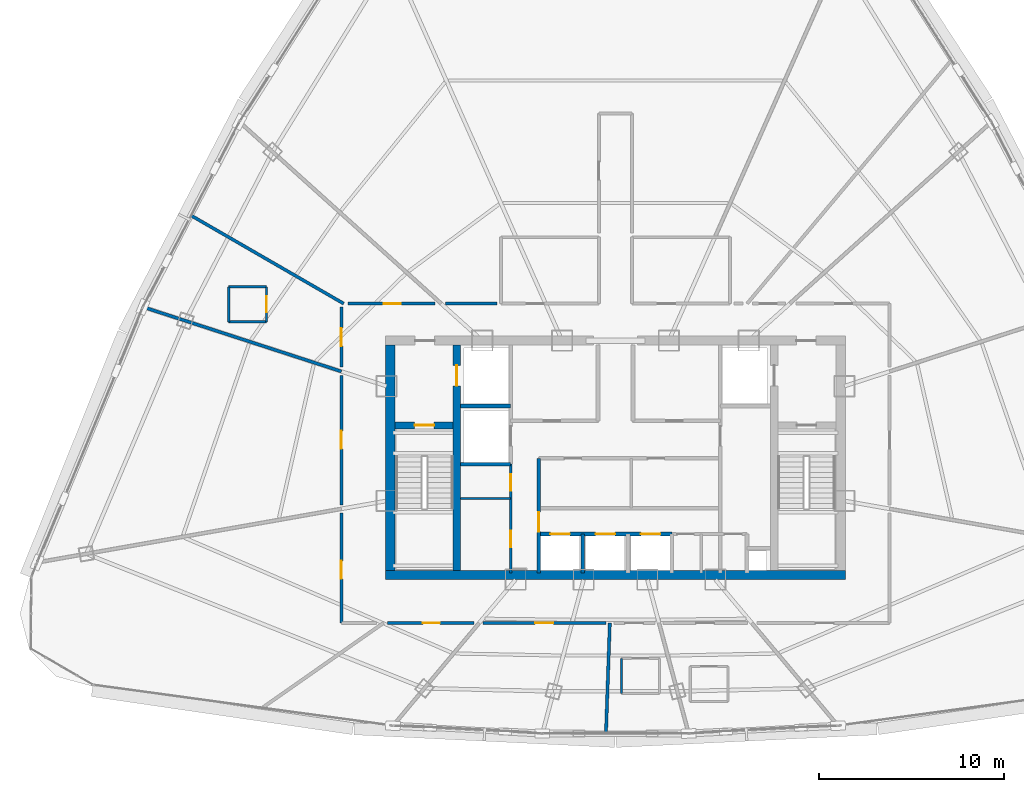
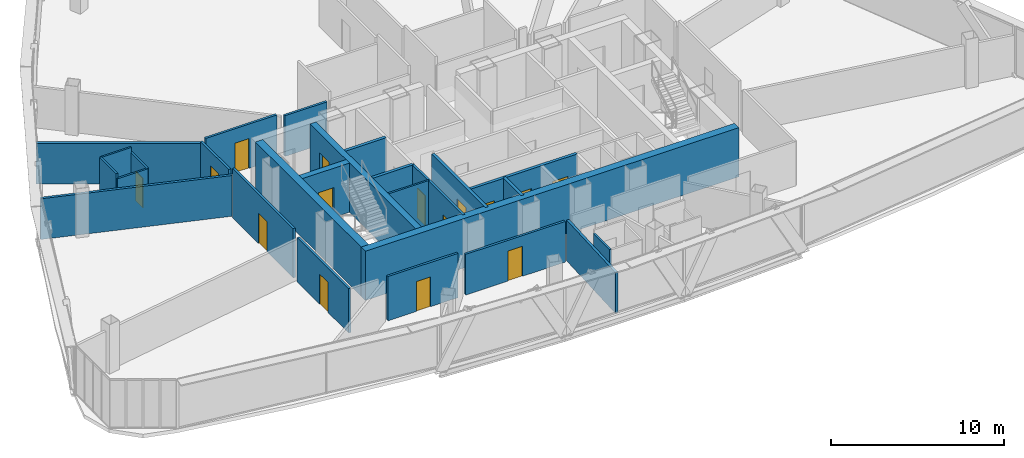
# One storey, part 34 of 40: 26 walls, 15 doors, 15 openings.
"""IFC4 building model written with IfcOpenShell, lengths in metres."""

from ifc_helpers import new_model, si_unit, direction, frame, frame_2d, origin, origin_with_axes, place, context, subcontext, project, spatial, rectangle, extrude, source, transform, mapped, material, layer, layer_set, type_object, element, fill, save


model = new_model("IFC4")

# Units and contexts
model_context = context("Model", 3, precision=1e-05, world=origin(), true_north=direction((0.0, 1.0)))
body_context = subcontext(model_context, "Body", "Model", "MODEL_VIEW")
ifc_project = project(units=[si_unit("LENGTHUNIT", "METRE"), si_unit("AREAUNIT", "SQUARE_METRE"), si_unit("VOLUMEUNIT", "CUBIC_METRE"), si_unit("PLANEANGLEUNIT", "RADIAN"), si_unit("MASSUNIT", "GRAM", prefix="KILO"), si_unit("THERMODYNAMICTEMPERATUREUNIT", "KELVIN"), si_unit("POWERUNIT", "WATT")], contexts=[model_context])

# Site, building, storey
site_placement = place(None, origin())
site = spatial("IfcSite", under=ifc_project, at=site_placement, CompositionType="ELEMENT")
building_placement = place(site_placement, origin())
building = spatial("IfcBuilding", under=site, at=building_placement, Name="Yunzhuo Pagoda Commons", CompositionType="ELEMENT")
storey_placement = place(building_placement, frame((0.0, 0.0, 288.75)))
storey = spatial("IfcBuildingStorey", under=building, at=storey_placement, Name="L72", CompositionType="ELEMENT", Elevation=288.75)

# Walls
ifc_material_1 = material(Name="Concrete C50", Category="concrete")
ifc_layer_1 = layer(ifc_material_1, 0.5)
ifc_layer_set_1 = layer_set([ifc_layer_1], Name="Concrete C50")
wall_type_1 = type_object("IfcWallType", Name="W-C03 Upper Core Shear Wall 500", PredefinedType="SHEAR", material=ifc_layer_set_1)
wall_1_placement = place(storey_placement, frame((35.550048828125, 27.5, 0.0), z_axis=(0.0, 0.0, 1.0), x_axis=(1.0, 0.0, 0.0)))
element("IfcWall", 1, at=wall_1_placement, inside=storey, type_object=wall_type_1, Name="L72 core shear wall S", PredefinedType="SHEAR", context=body_context, shape_type="SweptSolid", body=[
    extrude(rectangle(XDim=24.89990234375, YDim=0.5, at=frame_2d((12.449951171875, 0.0))), origin(), (0.0, 0.0, 1.0), 3.469970703125),
])
wall_2_placement = place(storey_placement, frame((35.800048828125, 27.75, 0.0), z_axis=(0.0, 0.0, 1.0), x_axis=(0.0, 1.0, 0.0)))
element("IfcWall", 2, at=wall_2_placement, inside=storey, type_object=wall_type_1, Name="L72 core shear wall W", PredefinedType="SHEAR", context=body_context, shape_type="SweptSolid", body=[
    extrude(rectangle(XDim=12.199951171875, YDim=0.5, at=frame_2d((6.10009765625, 0.0))), origin(), (0.0, 0.0, 1.0), 3.469970703125),
])

# Wall, openings, doors
ifc_material_2 = material(Name="Gypsum plasterboard on acoustic stud")
ifc_layer_2 = layer(ifc_material_2, 0.14990234375)
ifc_layer_set_2 = layer_set([ifc_layer_2], Name="Gypsum plasterboard on acoustic stud")
wall_type_2 = type_object("IfcWallType", Name="W-COR3 High-Zone Rated Corridor Wall 150", PredefinedType="PARTITIONING", material=ifc_layer_set_2)
wall_3_placement = place(storey_placement, frame((42.320068359375, 27.60009765625, 0.0), z_axis=(0.0, 0.0, 1.0), x_axis=(0.0, 1.0, 0.0)))
wall_3 = element("IfcWall", 3, at=wall_3_placement, inside=storey, type_object=wall_type_2, Name="L72 interior wall IW-L72-CSWE", PredefinedType="PARTITIONING", context=body_context, shape_type="SweptSolid", body=[
    extrude(rectangle(XDim=5.89990234375, YDim=0.14990234375, at=frame_2d((2.949951171875, 0.0))), origin(), (0.0, 0.0, 1.0), 3.469970703125),
])
opening_1_placement = place(wall_3_placement, frame((1.39990234375, 0.0, 0.0)))
opening_1 = element("IfcOpeningElement", 4, at=opening_1_placement, cuts=wall_3, Name="Opening D-03", PredefinedType="OPENING", context=body_context, shape_type="SweptSolid", body=[
    extrude(rectangle(XDim=0.89990234375, YDim=2.10009765625, at=frame_2d((0.449951171875, 1.050048828125))), frame((0.0, 0.0849609375, 0.0), z_axis=(0.0, -1.0, 0.0), x_axis=(1.0, 0.0, 0.0)), (0.0, 0.0, 1.0), 0.169921875),
])
opening_2_placement = place(wall_3_placement, frame((4.449951171875, 0.0, 0.0)))
opening_2 = element("IfcOpeningElement", 5, at=opening_2_placement, cuts=wall_3, Name="Opening D-03", PredefinedType="OPENING", context=body_context, shape_type="SweptSolid", body=[
    extrude(rectangle(XDim=0.89990234375, YDim=2.10009765625, at=frame_2d((0.449951171875, 1.050048828125))), frame((0.0, 0.0849609375, 0.0), z_axis=(0.0, -1.0, 0.0), x_axis=(1.0, 0.0, 0.0)), (0.0, 0.0, 1.0), 0.169921875),
])
ifc_material_3 = material(Name="Galvanized fire-resisting metal leaf")
door_type_1 = type_object("IfcDoorType", Name="D-03 Core Service Fire Door 900x2100", OperationType="NOTDEFINED", PredefinedType="DOOR", material=ifc_material_3)
shared_shape_1 = source(origin(), body_context, "Body", "SweptSolid", [
    extrude(rectangle(XDim=0.89990234375, YDim=2.10009765625, at=frame_2d((0.449951171875, 1.050048828125))), frame((0.0, 0.02490234375, 0.0), z_axis=(0.0, -1.0, 0.0), x_axis=(1.0, 0.0, 0.0)), (0.0, 0.0, 1.0), 0.050048828125),
])
door_1_placement = place(opening_1_placement, origin_with_axes())
door_1 = element("IfcDoor", 6, at=door_1_placement, inside=storey, type_object=door_type_1, Name="L72 service store door", OperationType="SINGLE_SWING_LEFT", OverallHeight=2.10009765625, OverallWidth=0.89990234375, PredefinedType="DOOR", context=body_context, shape_type="MappedRepresentation", body=[
    mapped(shared_shape_1, transform((0.0, 0.0, 0.0), scale=1.0)),
])
fill(opening_1, door_1)
door_2_placement = place(opening_2_placement, origin_with_axes())
door_2 = element("IfcDoor", 7, at=door_2_placement, inside=storey, type_object=door_type_1, Name="L72 switch closet door", OperationType="SINGLE_SWING_RIGHT", OverallHeight=2.10009765625, OverallWidth=0.89990234375, PredefinedType="DOOR", context=body_context, shape_type="MappedRepresentation", body=[
    mapped(shared_shape_1, transform((0.0, 0.0, 0.0), scale=1.0)),
])
fill(opening_2, door_2)

# Wall, opening, door
wall_4_placement = place(storey_placement, frame((33.14990234375, 24.89990234375, 0.0), z_axis=(0.0, 0.0, 1.0), x_axis=(0.0, 1.0, 0.0)))
wall_4 = element("IfcWall", 8, at=wall_4_placement, inside=storey, type_object=wall_type_2, Name="L72 interior wall IW-L72-CWL01", PredefinedType="PARTITIONING", context=body_context, shape_type="SweptSolid", body=[
    extrude(rectangle(XDim=5.958251953125, YDim=0.14990234375, at=frame_2d((2.97900390625, 0.0))), origin(), (0.0, 0.0, 1.0), 3.1201171875),
])
opening_3_placement = place(wall_4_placement, frame((2.3857421875, 0.0, 0.0)))
opening_3 = element("IfcOpeningElement", 9, at=opening_3_placement, cuts=wall_4, Name="Opening D-08", PredefinedType="OPENING", context=body_context, shape_type="SweptSolid", body=[
    extrude(rectangle(XDim=0.97998046875, YDim=2.1201171875, at=frame_2d((0.489990234375, 1.06005859375))), frame((0.0, 0.0849609375, 0.0), z_axis=(0.0, -1.0, 0.0), x_axis=(1.0, 0.0, 0.0)), (0.0, 0.0, 1.0), 0.169921875),
])
door_type_2 = type_object("IfcDoorType", Name="D-08 High-Zone Suite Entrance Fire Door 980x2120", OperationType="NOTDEFINED", PredefinedType="DOOR", material=ifc_material_3)
shared_shape_2 = source(origin(), body_context, "Body", "SweptSolid", [
    extrude(rectangle(XDim=0.97998046875, YDim=2.1201171875, at=frame_2d((0.489990234375, 1.06005859375))), frame((0.0, 0.02490234375, 0.0), z_axis=(0.0, -1.0, 0.0), x_axis=(1.0, 0.0, 0.0)), (0.0, 0.0, 1.0), 0.050048828125),
])
door_3_placement = place(opening_3_placement, origin_with_axes())
door_3 = element("IfcDoor", 10, at=door_3_placement, inside=storey, type_object=door_type_2, Name="L72 unit 09 entrance door", OperationType="SINGLE_SWING_RIGHT", OverallHeight=2.1201171875, OverallWidth=0.97998046875, PredefinedType="DOOR", context=body_context, shape_type="MappedRepresentation", body=[
    mapped(shared_shape_2, transform((0.0, 0.0, 0.0), scale=1.0)),
])
fill(opening_3, door_3)

wall_5_placement = place(storey_placement, frame((33.14990234375, 31.30126953125, 0.0), z_axis=(0.0, 0.0, 1.0), x_axis=(0.0, 1.0, 0.0)))
wall_5 = element("IfcWall", 11, at=wall_5_placement, inside=storey, type_object=wall_type_2, Name="L72 interior wall IW-L72-CWL02", PredefinedType="PARTITIONING", context=body_context, shape_type="SweptSolid", body=[
    extrude(rectangle(XDim=7.004150390625, YDim=0.14990234375, at=frame_2d((3.501953125, 0.0))), origin(), (0.0, 0.0, 1.0), 3.469970703125),
])
opening_4_placement = place(wall_5_placement, frame((3.027099609375, 0.0, 0.0)))
opening_4 = element("IfcOpeningElement", 12, at=opening_4_placement, cuts=wall_5, Name="Opening D-08", PredefinedType="OPENING", context=body_context, shape_type="SweptSolid", body=[
    extrude(rectangle(XDim=0.97998046875, YDim=2.1201171875, at=frame_2d((0.489990234375, 1.06005859375))), frame((0.0, 0.0849609375, 0.0), z_axis=(0.0, -1.0, 0.0), x_axis=(1.0, 0.0, 0.0)), (0.0, 0.0, 1.0), 0.169921875),
])
door_4_placement = place(opening_4_placement, origin_with_axes())
door_4 = element("IfcDoor", 13, at=door_4_placement, inside=storey, type_object=door_type_2, Name="L72 unit 08 entrance door", OperationType="SINGLE_SWING_LEFT", OverallHeight=2.1201171875, OverallWidth=0.97998046875, PredefinedType="DOOR", context=body_context, shape_type="MappedRepresentation", body=[
    mapped(shared_shape_2, transform((0.0, 0.0, 0.0), scale=1.0)),
])
fill(opening_4, door_4)

wall_6_placement = place(storey_placement, frame((33.14990234375, 38.75634765625, 0.0), z_axis=(0.0, 0.0, 1.0), x_axis=(0.0, 1.0, 0.0)))
wall_6 = element("IfcWall", 14, at=wall_6_placement, inside=storey, type_object=wall_type_2, Name="L72 interior wall IW-L72-CWL03", PredefinedType="PARTITIONING", context=body_context, shape_type="SweptSolid", body=[
    extrude(rectangle(XDim=3.26318359375, YDim=0.14990234375, at=frame_2d((1.631591796875, 0.0))), origin(), (0.0, 0.0, 1.0), 3.1201171875),
])
opening_5_placement = place(wall_6_placement, frame((1.140380859375, 0.0, 0.0)))
opening_5 = element("IfcOpeningElement", 15, at=opening_5_placement, cuts=wall_6, Name="Opening D-08", PredefinedType="OPENING", context=body_context, shape_type="SweptSolid", body=[
    extrude(rectangle(XDim=0.97998046875, YDim=2.1201171875, at=frame_2d((0.489990234375, 1.06005859375))), frame((0.0, 0.0849609375, 0.0), z_axis=(0.0, -1.0, 0.0), x_axis=(1.0, 0.0, 0.0)), (0.0, 0.0, 1.0), 0.169921875),
])
door_5_placement = place(opening_5_placement, origin_with_axes())
door_5 = element("IfcDoor", 16, at=door_5_placement, inside=storey, type_object=door_type_2, Name="L72 unit 07 entrance door", OperationType="SINGLE_SWING_RIGHT", OverallHeight=2.1201171875, OverallWidth=0.97998046875, PredefinedType="DOOR", context=body_context, shape_type="MappedRepresentation", body=[
    mapped(shared_shape_2, transform((0.0, 0.0, 0.0), scale=1.0)),
])
fill(opening_5, door_5)

wall_7_placement = place(storey_placement, frame((33.497314453125, 42.199951171875, 0.0), z_axis=(0.0, 0.0, 1.0), x_axis=(1.0, 0.0, 0.0)))
wall_7 = element("IfcWall", 17, at=wall_7_placement, inside=storey, type_object=wall_type_2, Name="L72 interior wall IW-L72-CWL04", PredefinedType="PARTITIONING", context=body_context, shape_type="SweptSolid", body=[
    extrude(rectangle(XDim=4.733642578125, YDim=0.14990234375, at=frame_2d((2.36669921875, 0.0))), origin(), (0.0, 0.0, 1.0), 3.1201171875),
])
opening_6_placement = place(wall_7_placement, frame((1.961181640625, 0.0, 0.0)))
opening_6 = element("IfcOpeningElement", 18, at=opening_6_placement, cuts=wall_7, Name="Opening D-04", PredefinedType="OPENING", context=body_context, shape_type="SweptSolid", body=[
    extrude(rectangle(XDim=0.919921875, YDim=2.10009765625, at=frame_2d((0.4599609375, 1.050048828125))), frame((0.0, 0.0849609375, 0.0), z_axis=(0.0, -1.0, 0.0), x_axis=(1.0, 0.0, 0.0)), (0.0, 0.0, 1.0), 0.169921875),
])
ifc_material_4 = material(Name="Powder-coated aluminium and timber acoustic leaf", Category="wood")
door_type_3 = type_object("IfcDoorType", Name="D-04 Bedroom & Study Interior Door 920x2100", OperationType="NOTDEFINED", PredefinedType="DOOR", material=ifc_material_4)
shared_shape_3 = source(origin(), body_context, "Body", "SweptSolid", [
    extrude(rectangle(XDim=0.919921875, YDim=2.10009765625, at=frame_2d((0.4599609375, 1.050048828125))), frame((0.0, 0.02490234375, 0.0), z_axis=(0.0, -1.0, 0.0), x_axis=(1.0, 0.0, 0.0)), (0.0, 0.0, 1.0), 0.050048828125),
])
door_6_placement = place(opening_6_placement, origin_with_axes())
door_6 = element("IfcDoor", 19, at=door_6_placement, inside=storey, type_object=door_type_3, Name="L72 seminar room 06 door", OperationType="SINGLE_SWING_LEFT", OverallHeight=2.10009765625, OverallWidth=0.919921875, PredefinedType="DOOR", context=body_context, shape_type="MappedRepresentation", body=[
    mapped(shared_shape_3, transform((0.0, 0.0, 0.0), scale=1.0)),
])
fill(opening_6, door_6)

# Wall
wall_8_placement = place(storey_placement, frame((38.779541015625, 42.199951171875, 0.0), z_axis=(0.0, 0.0, 1.0), x_axis=(1.0, 0.0, 0.0)))
element("IfcWall", 20, at=wall_8_placement, inside=storey, type_object=wall_type_2, Name="L72 interior wall IW-L72-CWL05", PredefinedType="PARTITIONING", context=body_context, shape_type="SweptSolid", body=[
    extrude(rectangle(XDim=2.800537109375, YDim=0.14990234375, at=frame_2d((1.400390625, 0.0))), origin(), (0.0, 0.0, 1.0), 2.8701171875),
])

# Wall, opening, door
wall_9_placement = place(storey_placement, frame((47.47265625, 24.89990234375, 0.0), z_axis=(0.0, 0.0, 1.0), x_axis=(-1.0, 0.0, 0.0)))
wall_9 = element("IfcWall", 21, at=wall_9_placement, inside=storey, type_object=wall_type_2, Name="L72 interior wall IW-L72-CWL18", PredefinedType="PARTITIONING", context=body_context, shape_type="SweptSolid", body=[
    extrude(rectangle(XDim=6.636962890625, YDim=0.14990234375, at=frame_2d((3.318359375, 0.0))), origin(), (0.0, 0.0, 1.0), 2.8701171875),
])
opening_7_placement = place(wall_9_placement, frame((2.84326171875, 0.0, 0.0)))
opening_7 = element("IfcOpeningElement", 22, at=opening_7_placement, cuts=wall_9, Name="Opening D-08", PredefinedType="OPENING", context=body_context, shape_type="SweptSolid", body=[
    extrude(rectangle(XDim=0.97998046875, YDim=2.1201171875, at=frame_2d((0.489990234375, 1.06005859375))), frame((0.0, 0.0849609375, 0.0), z_axis=(0.0, -1.0, 0.0), x_axis=(1.0, 0.0, 0.0)), (0.0, 0.0, 1.0), 0.169921875),
])
door_7_placement = place(opening_7_placement, origin_with_axes())
door_7 = element("IfcDoor", 23, at=door_7_placement, inside=storey, type_object=door_type_2, Name="L72 Resident Co-Living Commons Hall door", OperationType="SINGLE_SWING_RIGHT", OverallHeight=2.1201171875, OverallWidth=0.97998046875, PredefinedType="DOOR", context=body_context, shape_type="MappedRepresentation", body=[
    mapped(shared_shape_2, transform((0.0, 0.0, 0.0), scale=1.0)),
])
fill(opening_7, door_7)

wall_10_placement = place(storey_placement, frame((40.32861328125, 24.89990234375, 0.0), z_axis=(0.0, 0.0, 1.0), x_axis=(-1.0, 0.0, 0.0)))
wall_10 = element("IfcWall", 24, at=wall_10_placement, inside=storey, type_object=wall_type_2, Name="L72 interior wall IW-L72-CWL19", PredefinedType="PARTITIONING", context=body_context, shape_type="SweptSolid", body=[
    extrude(rectangle(XDim=4.676513671875, YDim=0.14990234375, at=frame_2d((2.33837890625, 0.0))), origin(), (0.0, 0.0, 1.0), 3.1201171875),
])
opening_8_placement = place(wall_10_placement, frame((1.844482421875, 0.0, 0.0)))
opening_8 = element("IfcOpeningElement", 25, at=opening_8_placement, cuts=wall_10, Name="Opening D-04", PredefinedType="OPENING", context=body_context, shape_type="SweptSolid", body=[
    extrude(rectangle(XDim=0.919921875, YDim=2.10009765625, at=frame_2d((0.4599609375, 1.050048828125))), frame((0.0, 0.0849609375, 0.0), z_axis=(0.0, -1.0, 0.0), x_axis=(1.0, 0.0, 0.0)), (0.0, 0.0, 1.0), 0.169921875),
])
door_8_placement = place(opening_8_placement, origin_with_axes())
door_8 = element("IfcDoor", 26, at=door_8_placement, inside=storey, type_object=door_type_3, Name="L72 fellow workroom 10 door", OperationType="SINGLE_SWING_LEFT", OverallHeight=2.10009765625, OverallWidth=0.919921875, PredefinedType="DOOR", context=body_context, shape_type="MappedRepresentation", body=[
    mapped(shared_shape_3, transform((0.0, 0.0, 0.0), scale=1.0)),
])
fill(opening_8, door_8)

# Walls
ifc_layer_3 = layer(ifc_material_2, 0.1201171875)
ifc_layer_set_3 = layer_set([ifc_layer_3], Name="Gypsum plasterboard on acoustic stud")
wall_type_3 = type_object("IfcWallType", Name="W-PRT1 Suite & Bathroom Partition 120", PredefinedType="PARTITIONING", material=ifc_layer_set_3)
wall_11_placement = place(storey_placement, frame((39.60009765625, 31.64990234375, 0.0), z_axis=(0.0, 0.0, 1.0), x_axis=(1.0, 0.0, 0.0)))
element("IfcWall", 27, at=wall_11_placement, inside=storey, type_object=wall_type_3, Name="L72 interior wall IW-L72-CD1", PredefinedType="PARTITIONING", context=body_context, shape_type="SweptSolid", body=[
    extrude(rectangle(XDim=2.719970703125, YDim=0.1201171875, at=frame_2d((1.35986328125, 0.0))), origin(), (0.0, 0.0, 1.0), 3.469970703125),
])
wall_12_placement = place(storey_placement, frame((27.0458984375, 41.212890625, 0.0), z_axis=(0.0, 0.0, 1.0), x_axis=(1.0, 0.0, 0.0)))
element("IfcWall", 28, at=wall_12_placement, inside=storey, type_object=wall_type_3, Name="L72 interior wall IW-L72-B07S", PredefinedType="PARTITIONING", context=body_context, shape_type="SweptSolid", body=[
    extrude(rectangle(XDim=2.050048828125, YDim=0.1201171875, at=frame_2d((1.02490234375, 0.0))), origin(), (0.0, 0.0, 1.0), 3.1201171875),
])

# Wall, opening, door
wall_13_placement = place(storey_placement, frame((29.095947265625, 41.212890625, 0.0), z_axis=(0.0, 0.0, 1.0), x_axis=(0.0, 1.0, 0.0)))
wall_13 = element("IfcWall", 29, at=wall_13_placement, inside=storey, type_object=wall_type_3, Name="L72 interior wall IW-L72-B07E", PredefinedType="PARTITIONING", context=body_context, shape_type="SweptSolid", body=[
    extrude(rectangle(XDim=1.900146484375, YDim=0.1201171875, at=frame_2d((0.9501953125, 0.0))), origin(), (0.0, 0.0, 1.0), 3.1201171875),
])
opening_9_placement = place(wall_13_placement, frame((0.52490234375, 0.0, 0.0)))
opening_9 = element("IfcOpeningElement", 30, at=opening_9_placement, cuts=wall_13, Name="Opening D-05", PredefinedType="OPENING", context=body_context, shape_type="SweptSolid", body=[
    extrude(rectangle(XDim=0.85009765625, YDim=2.10009765625, at=frame_2d((0.425048828125, 1.050048828125))), frame((0.0, 0.070068359375, 0.0), z_axis=(0.0, -1.0, 0.0), x_axis=(1.0, 0.0, 0.0)), (0.0, 0.0, 1.0), 0.14013671875),
])
door_type_4 = type_object("IfcDoorType", Name="D-05 En-Suite Bathroom Door 850x2100", OperationType="NOTDEFINED", PredefinedType="DOOR", material=ifc_material_4)
shared_shape_4 = source(origin(), body_context, "Body", "SweptSolid", [
    extrude(rectangle(XDim=0.85009765625, YDim=2.10009765625, at=frame_2d((0.425048828125, 1.050048828125))), frame((0.0, 0.02490234375, 0.0), z_axis=(0.0, -1.0, 0.0), x_axis=(1.0, 0.0, 0.0)), (0.0, 0.0, 1.0), 0.050048828125),
])
door_9_placement = place(opening_9_placement, frame((0.85009765625, 0.0, 0.0), z_axis=(0.0, 0.0, 1.0), x_axis=(-1.0, 0.0, 0.0)))
door_9 = element("IfcDoor", 31, at=door_9_placement, inside=storey, type_object=door_type_4, Name="L72 unit 07 bathroom door", OperationType="SINGLE_SWING_RIGHT", OverallHeight=2.10009765625, OverallWidth=0.85009765625, PredefinedType="DOOR", context=body_context, shape_type="MappedRepresentation", body=[
    mapped(shared_shape_4, transform((0.0, 0.0, 0.0), scale=1.0)),
])
fill(opening_9, door_9)

# Walls
wall_14_placement = place(storey_placement, frame((29.095947265625, 43.113037109375, 0.0), z_axis=(0.0, 0.0, 1.0), x_axis=(-1.0, 0.0, 0.0)))
element("IfcWall", 32, at=wall_14_placement, inside=storey, type_object=wall_type_3, Name="L72 interior wall IW-L72-B07N", PredefinedType="PARTITIONING", context=body_context, shape_type="SweptSolid", body=[
    extrude(rectangle(XDim=2.050048828125, YDim=0.1201171875, at=frame_2d((1.02490234375, 0.0))), origin(), (0.0, 0.0, 1.0), 3.469970703125),
])
wall_15_placement = place(storey_placement, frame((27.0458984375, 43.113037109375, 0.0), z_axis=(0.0, 0.0, 1.0), x_axis=(0.0, -1.0, 0.0)))
element("IfcWall", 33, at=wall_15_placement, inside=storey, type_object=wall_type_3, Name="L72 interior wall IW-L72-B07W", PredefinedType="PARTITIONING", context=body_context, shape_type="SweptSolid", body=[
    extrude(rectangle(XDim=1.900146484375, YDim=0.1201171875, at=frame_2d((0.9501953125, 0.0))), origin(), (0.0, 0.0, 1.0), 3.469970703125),
])
wall_16_placement = place(storey_placement, frame((48.3310546875, 22.97509765625, 0.0), z_axis=(0.0, 0.0, 1.0), x_axis=(0.0, -1.0, 0.0)))
element("IfcWall", 34, at=wall_16_placement, inside=storey, type_object=wall_type_3, Name="L72 interior wall IW-L72-B12W", PredefinedType="PARTITIONING", context=body_context, shape_type="SweptSolid", body=[
    extrude(rectangle(XDim=1.900146484375, YDim=0.1201171875, at=frame_2d((0.9501953125, 0.0))), origin(), (0.0, 0.0, 1.0), 2.8701171875),
])
ifc_layer_4 = layer(ifc_material_2, 0.169921875)
ifc_layer_set_4 = layer_set([ifc_layer_4], Name="Gypsum plasterboard on acoustic stud")
wall_type_4 = type_object("IfcWallType", Name="W-PRT4 High-Zone Demising Wall 170", PredefinedType="PARTITIONING", material=ifc_layer_set_4)
wall_17_placement = place(storey_placement, frame((33.277587890625, 42.199951171875, 0.0), z_axis=(0.0, 0.0, 1.0), x_axis=(-0.866033492747, 0.499985989244, 0.0)))
element("IfcWall", 35, at=wall_17_placement, inside=storey, type_object=wall_type_4, Name="L72 interior wall IW-L72-RAD06", PredefinedType="PARTITIONING", context=body_context, shape_type="SweptSolid", body=[
    extrude(rectangle(XDim=9.569580078125, YDim=0.169921875, at=frame_2d((4.78466796875, 0.0))), origin(), (0.0, 0.0, 1.0), 2.8701171875),
])
wall_18_placement = place(storey_placement, frame((33.14990234375, 38.525146484375, 0.0), z_axis=(0.0, 0.0, 1.0), x_axis=(-0.951060099206, 0.309005967092, 0.0)))
element("IfcWall", 36, at=wall_18_placement, inside=storey, type_object=wall_type_4, Name="L72 interior wall IW-L72-RAD07", PredefinedType="PARTITIONING", context=body_context, shape_type="SweptSolid", body=[
    extrude(rectangle(XDim=11.30224609375, YDim=0.169921875, at=frame_2d((5.651123046875, 0.0))), origin(), (0.0, 0.0, 1.0), 2.8701171875),
])
wall_19_placement = place(storey_placement, frame((47.692626953125, 24.89990234375, 0.0), z_axis=(0.0, 0.0, 1.0), x_axis=(-0.034912666906, -0.999390367019, 0.0)))
element("IfcWall", 37, at=wall_19_placement, inside=storey, type_object=wall_type_4, Name="L72 interior wall IW-L72-RAD11", PredefinedType="PARTITIONING", context=body_context, shape_type="SweptSolid", body=[
    extrude(rectangle(XDim=5.992919921875, YDim=0.169921875, at=frame_2d((2.99658203125, 0.0))), origin(), (0.0, 0.0, 1.0), 2.8701171875),
])

# Wall, opening, door
ifc_material_5 = material(Name="Concrete C60", Category="concrete")
ifc_layer_5 = layer(ifc_material_5, 0.39990234375)
ifc_layer_set_5 = layer_set([ifc_layer_5], Name="Concrete C60")
wall_type_5 = type_object("IfcWallType", Name="W-S01 Internal Core Shear Web 400", PredefinedType="SHEAR", material=ifc_layer_set_5)
wall_20_placement = place(storey_placement, frame((39.39990234375, 27.75, 0.0), z_axis=(0.0, 0.0, 1.0), x_axis=(0.0, 1.0, 0.0)))
wall_20 = element("IfcWall", 38, at=wall_20_placement, inside=storey, type_object=wall_type_5, Name="L72 core shear wall WEBW", PredefinedType="SHEAR", context=body_context, shape_type="SweptSolid", body=[
    extrude(rectangle(XDim=12.199951171875, YDim=0.39990234375, at=frame_2d((6.10009765625, 0.0))), origin(), (0.0, 0.0, 1.0), 3.469970703125),
])
opening_10_placement = place(wall_20_placement, frame((10.0, 0.0, 0.0)))
opening_10 = element("IfcOpeningElement", 39, at=opening_10_placement, cuts=wall_20, Name="Opening LD-01", PredefinedType="OPENING", context=body_context, shape_type="SweptSolid", body=[
    extrude(rectangle(XDim=1.10009765625, YDim=2.10009765625, at=frame_2d((0.550048828125, 1.050048828125))), frame((0.0, 0.2099609375, 0.0), z_axis=(0.0, -1.0, 0.0), x_axis=(1.0, 0.0, 0.0)), (0.0, 0.0, 1.0), 0.419921875),
])
door_type_5 = type_object("IfcDoorType", Name="LD-01 Firefighting Lift Landing Door 1100x2100", OperationType="DOUBLE_DOOR_SLIDING", PredefinedType="DOOR", material=ifc_material_3)
shared_shape_5 = source(origin(), body_context, "Body", "SweptSolid", [
    extrude(rectangle(XDim=1.10009765625, YDim=2.10009765625, at=frame_2d((0.550048828125, 1.050048828125))), frame((0.0, 0.02490234375, 0.0), z_axis=(0.0, -1.0, 0.0), x_axis=(1.0, 0.0, 0.0)), (0.0, 0.0, 1.0), 0.050048828125),
])
door_10_placement = place(opening_10_placement, frame((1.10009765625, 0.0, 0.0), z_axis=(0.0, 0.0, 1.0), x_axis=(-1.0, 0.0, 0.0)))
door_10 = element("IfcDoor", 40, at=door_10_placement, inside=storey, type_object=door_type_5, Name="L72 Firefighting lift FL-1 landing door", OperationType="DOUBLE_DOOR_SLIDING", OverallHeight=2.10009765625, OverallWidth=1.10009765625, PredefinedType="DOOR", context=body_context, shape_type="MappedRepresentation", body=[
    mapped(shared_shape_5, transform((0.0, 0.0, 0.0), scale=1.0)),
])
fill(opening_10, door_10)

wall_21_placement = place(storey_placement, frame((36.050048828125, 35.60009765625, 0.0), z_axis=(0.0, 0.0, 1.0), x_axis=(1.0, 0.0, 0.0)))
wall_21 = element("IfcWall", 41, at=wall_21_placement, inside=storey, type_object=wall_type_5, Name="L72 core shear wall STW", PredefinedType="SHEAR", context=body_context, shape_type="SweptSolid", body=[
    extrude(rectangle(XDim=3.14990234375, YDim=0.39990234375, at=frame_2d((1.574951171875, 0.0))), origin(), (0.0, 0.0, 1.0), 3.469970703125),
])
opening_11_placement = place(wall_21_placement, frame((1.070068359375, 0.0, 0.0)))
opening_11 = element("IfcOpeningElement", 42, at=opening_11_placement, cuts=wall_21, Name="Opening D-01", PredefinedType="OPENING", context=body_context, shape_type="SweptSolid", body=[
    extrude(rectangle(XDim=1.050048828125, YDim=2.10009765625, at=frame_2d((0.52490234375, 1.050048828125))), frame((0.0, 0.2099609375, 0.0), z_axis=(0.0, -1.0, 0.0), x_axis=(1.0, 0.0, 0.0)), (0.0, 0.0, 1.0), 0.419921875),
])
door_type_6 = type_object("IfcDoorType", Name="D-01 Smokeproof Stair Fire Door 1050x2100", OperationType="NOTDEFINED", PredefinedType="DOOR", material=ifc_material_3)
shared_shape_6 = source(origin(), body_context, "Body", "SweptSolid", [
    extrude(rectangle(XDim=1.050048828125, YDim=2.10009765625, at=frame_2d((0.52490234375, 1.050048828125))), frame((0.0, 0.02490234375, 0.0), z_axis=(0.0, -1.0, 0.0), x_axis=(1.0, 0.0, 0.0)), (0.0, 0.0, 1.0), 0.050048828125),
])
door_11_placement = place(opening_11_placement, frame((1.050048828125, 0.0, 0.0), z_axis=(0.0, 0.0, 1.0), x_axis=(-1.0, 0.0, 0.0)))
door_11 = element("IfcDoor", 43, at=door_11_placement, inside=storey, type_object=door_type_6, Name="L72 Stair ST1 fire door", OperationType="SINGLE_SWING_LEFT", OverallHeight=2.10009765625, OverallWidth=1.050048828125, PredefinedType="DOOR", context=body_context, shape_type="MappedRepresentation", body=[
    mapped(shared_shape_6, transform((0.0, 0.0, 0.0), scale=1.0)),
])
fill(opening_11, door_11)

# Walls
ifc_material_6 = material(Name="Concrete C40", Category="concrete")
ifc_layer_6 = layer(ifc_material_6, 0.199951171875)
ifc_layer_set_6 = layer_set([ifc_layer_6], Name="Concrete C40")
wall_type_6 = type_object("IfcWallType", Name="W-SHF Shaft & Stair Enclosure Wall 200", PredefinedType="SOLIDWALL", material=ifc_layer_set_6)
for number, where, z_axis, x_axis, name in (
    (44, (39.60009765625, 36.64990234375, 0.0), (0.0, 0.0, 1.0), (1.0, 0.0, 0.0), "L72 interior wall IW-L72-FL1S"),
    (45, (39.60009765625, 33.5, 0.0), (0.0, 0.0, 1.0), (1.0, 0.0, 0.0), "L72 interior wall IW-L72-SL1S"),
):
    element("IfcWall", number, at=place(storey_placement, frame(where, z_axis=z_axis, x_axis=x_axis)), inside=storey, type_object=wall_type_6, Name=name, PredefinedType="SOLIDWALL", context=body_context, shape_type="SweptSolid", body=[
        extrude(rectangle(XDim=2.719970703125, YDim=0.199951171875, at=frame_2d((1.35986328125, 0.0))), origin(), (0.0, 0.0, 1.0), 3.469970703125),
    ])

# Wall, opening, door
wall_22_placement = place(storey_placement, frame((43.85009765625, 27.60009765625, 0.0), z_axis=(0.0, 0.0, 1.0), x_axis=(0.0, 1.0, 0.0)))
wall_22 = element("IfcWall", 46, at=wall_22_placement, inside=storey, type_object=wall_type_6, Name="L72 interior wall IW-L72-PLMW", PredefinedType="SOLIDWALL", context=body_context, shape_type="SweptSolid", body=[
    extrude(rectangle(XDim=6.219970703125, YDim=0.199951171875, at=frame_2d((3.10986328125, 0.0))), origin(), (0.0, 0.0, 1.0), 3.469970703125),
])
opening_12_placement = place(wall_22_placement, frame((2.25, 0.0, 0.0)))
opening_12 = element("IfcOpeningElement", 47, at=opening_12_placement, cuts=wall_22, Name="Opening D-02", PredefinedType="OPENING", context=body_context, shape_type="SweptSolid", body=[
    extrude(rectangle(XDim=1.050048828125, YDim=2.10009765625, at=frame_2d((0.52490234375, 1.050048828125))), frame((0.0, 0.10986328125, 0.0), z_axis=(0.0, -1.0, 0.0), x_axis=(1.0, 0.0, 0.0)), (0.0, 0.0, 1.0), 0.219970703125),
])
door_type_7 = type_object("IfcDoorType", Name="D-02 Firefighting Lobby & Refuge Fire Door 1050x2100", OperationType="NOTDEFINED", PredefinedType="DOOR", material=ifc_material_3)
door_12_placement = place(opening_12_placement, frame((1.050048828125, 0.0, 0.0), z_axis=(0.0, 0.0, 1.0), x_axis=(-1.0, 0.0, 0.0)))
door_12 = element("IfcDoor", 48, at=door_12_placement, inside=storey, type_object=door_type_7, Name="L72 High-bank hall west door", OperationType="SINGLE_SWING_LEFT", OverallHeight=2.10009765625, OverallWidth=1.050048828125, PredefinedType="DOOR", context=body_context, shape_type="MappedRepresentation", body=[
    mapped(shared_shape_6, transform((0.0, 0.0, 0.0), scale=1.0)),
])
fill(opening_12, door_12)

# Wall, openings, doors
wall_23_placement = place(storey_placement, frame((43.85009765625, 29.719970703125, 0.0), z_axis=(0.0, 0.0, 1.0), x_axis=(1.0, 0.0, 0.0)))
wall_23 = element("IfcWall", 49, at=wall_23_placement, inside=storey, type_object=wall_type_6, Name="L72 interior wall IW-L72-PLHN", PredefinedType="SOLIDWALL", context=body_context, shape_type="SweptSolid", body=[
    extrude(rectangle(XDim=7.199951171875, YDim=0.199951171875, at=frame_2d((3.60009765625, 0.0))), origin(), (0.0, 0.0, 1.0), 3.469970703125),
])
opening_13_placement = place(wall_23_placement, frame((0.625, 0.0, 0.0)))
opening_13 = element("IfcOpeningElement", 50, at=opening_13_placement, cuts=wall_23, Name="Opening LD-02", PredefinedType="OPENING", context=body_context, shape_type="SweptSolid", body=[
    extrude(rectangle(XDim=1.050048828125, YDim=2.10009765625, at=frame_2d((0.52490234375, 1.050048828125))), frame((0.0, 0.10986328125, 0.0), z_axis=(0.0, -1.0, 0.0), x_axis=(1.0, 0.0, 0.0)), (0.0, 0.0, 1.0), 0.219970703125),
])
opening_14_placement = place(wall_23_placement, frame((3.074951171875, 0.0, 0.0)))
opening_14 = element("IfcOpeningElement", 51, at=opening_14_placement, cuts=wall_23, Name="Opening LD-02", PredefinedType="OPENING", context=body_context, shape_type="SweptSolid", body=[
    extrude(rectangle(XDim=1.050048828125, YDim=2.10009765625, at=frame_2d((0.52490234375, 1.050048828125))), frame((0.0, 0.10986328125, 0.0), z_axis=(0.0, -1.0, 0.0), x_axis=(1.0, 0.0, 0.0)), (0.0, 0.0, 1.0), 0.219970703125),
])
opening_15_placement = place(wall_23_placement, frame((5.52490234375, 0.0, 0.0)))
opening_15 = element("IfcOpeningElement", 52, at=opening_15_placement, cuts=wall_23, Name="Opening LD-02", PredefinedType="OPENING", context=body_context, shape_type="SweptSolid", body=[
    extrude(rectangle(XDim=1.050048828125, YDim=2.10009765625, at=frame_2d((0.52490234375, 1.050048828125))), frame((0.0, 0.10986328125, 0.0), z_axis=(0.0, -1.0, 0.0), x_axis=(1.0, 0.0, 0.0)), (0.0, 0.0, 1.0), 0.219970703125),
])
door_type_8 = type_object("IfcDoorType", Name="LD-02 Passenger Lift Landing Door 1050x2100", OperationType="DOUBLE_DOOR_SLIDING", PredefinedType="DOOR", material=ifc_material_3)
door_13_placement = place(opening_13_placement, origin_with_axes())
door_13 = element("IfcDoor", 53, at=door_13_placement, inside=storey, type_object=door_type_8, Name="L72 Passenger lift PL-H1 landing door", OperationType="DOUBLE_DOOR_SLIDING", OverallHeight=2.10009765625, OverallWidth=1.050048828125, PredefinedType="DOOR", context=body_context, shape_type="MappedRepresentation", body=[
    mapped(shared_shape_6, transform((0.0, 0.0, 0.0), scale=1.0)),
])
fill(opening_13, door_13)
door_14_placement = place(opening_14_placement, origin_with_axes())
door_14 = element("IfcDoor", 54, at=door_14_placement, inside=storey, type_object=door_type_8, Name="L72 Passenger lift PL-H2 landing door", OperationType="DOUBLE_DOOR_SLIDING", OverallHeight=2.10009765625, OverallWidth=1.050048828125, PredefinedType="DOOR", context=body_context, shape_type="MappedRepresentation", body=[
    mapped(shared_shape_6, transform((0.0, 0.0, 0.0), scale=1.0)),
])
fill(opening_14, door_14)
door_15_placement = place(opening_15_placement, origin_with_axes())
door_15 = element("IfcDoor", 55, at=door_15_placement, inside=storey, type_object=door_type_8, Name="L72 Passenger lift PL-H3 landing door", OperationType="DOUBLE_DOOR_SLIDING", OverallHeight=2.10009765625, OverallWidth=1.050048828125, PredefinedType="DOOR", context=body_context, shape_type="MappedRepresentation", body=[
    mapped(shared_shape_6, transform((0.0, 0.0, 0.0), scale=1.0)),
])
fill(opening_15, door_15)

# Wall
wall_24_placement = place(storey_placement, frame((46.22509765625, 27.60009765625, 0.0), z_axis=(0.0, 0.0, 1.0), x_axis=(0.0, 1.0, 0.0)))
element("IfcWall", 56, at=wall_24_placement, inside=storey, type_object=wall_type_6, Name="L72 interior wall IW-L72-PLHD1", PredefinedType="SOLIDWALL", context=body_context, shape_type="SweptSolid", body=[
    extrude(rectangle(XDim=2.119873046875, YDim=0.199951171875, at=frame_2d((1.06005859375, 0.0))), origin(), (0.0, 0.0, 1.0), 3.469970703125),
])

save(model, "model.ifc")
